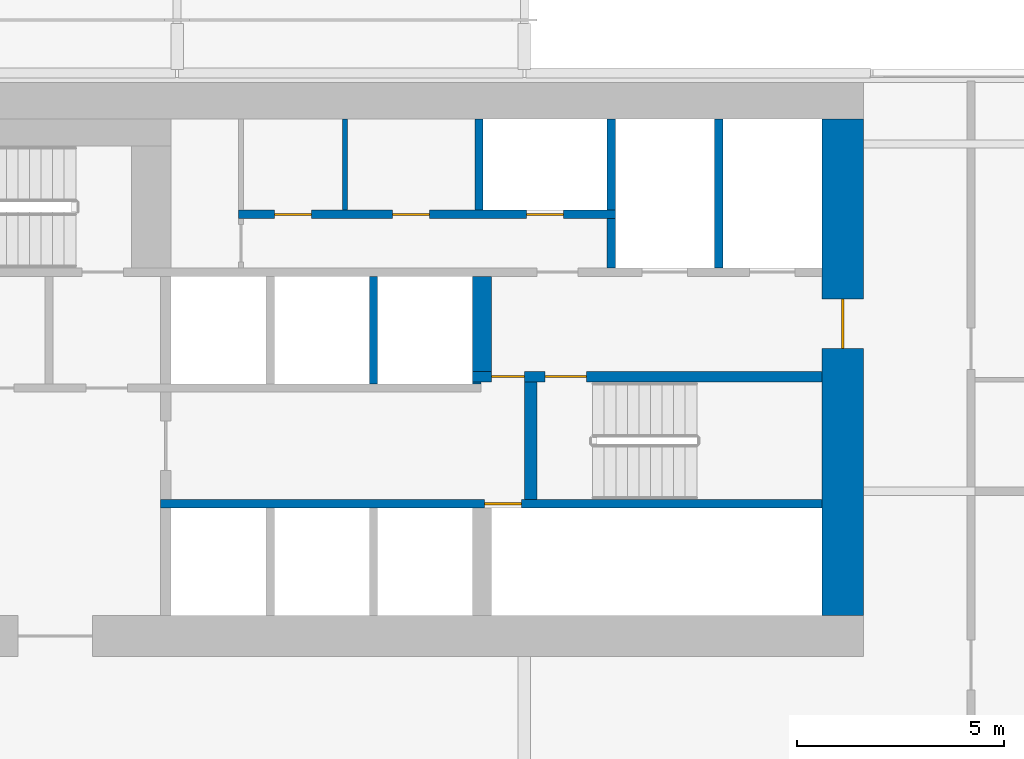
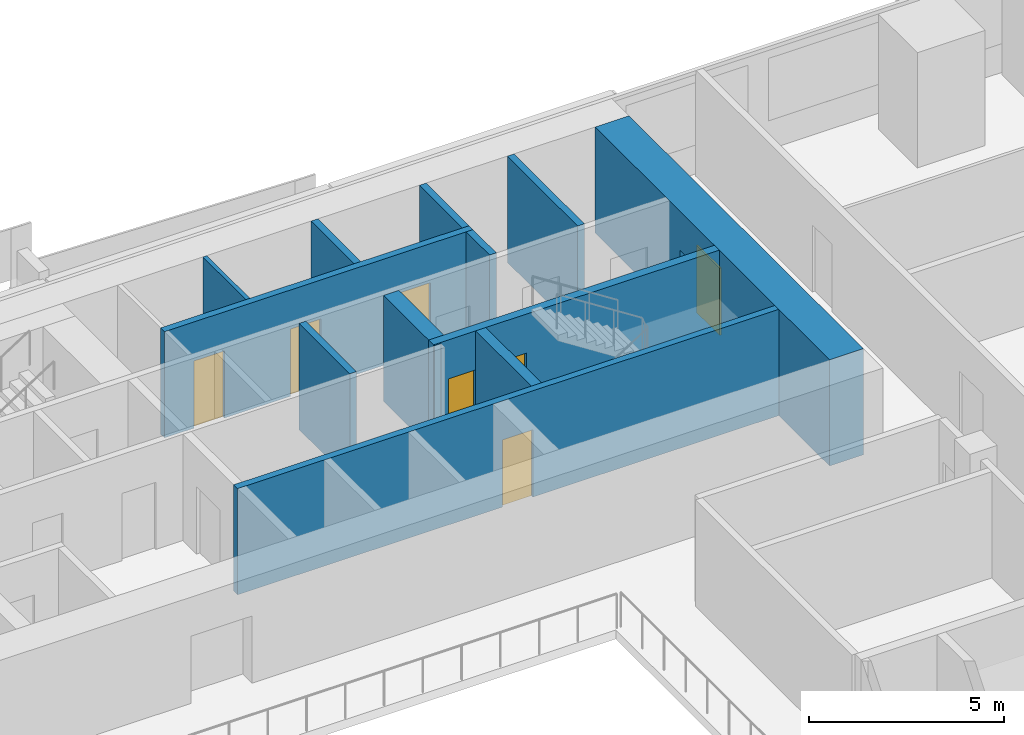
# One storey, part 22 of 26: 13 walls, 7 doors, 7 openings.
"""IFC4 building model written with IfcOpenShell, lengths in metres."""

from ifc_helpers import new_model, si_unit, direction, frame, frame_2d, origin, place, context, subcontext, project, spatial, rectangle, extrude, material, layer, layer_set, type_object, element, fill, save


model = new_model("IFC4")

# Units and contexts
model_context = context("Model", 3, precision=1e-05, world=origin(), true_north=direction((0.0, 1.0)))
body_context = subcontext(model_context, "Body", "Model", "MODEL_VIEW")
ifc_project = project(units=[si_unit("LENGTHUNIT", "METRE"), si_unit("AREAUNIT", "SQUARE_METRE"), si_unit("VOLUMEUNIT", "CUBIC_METRE"), si_unit("PLANEANGLEUNIT", "RADIAN"), si_unit("MASSUNIT", "GRAM", prefix="KILO")], contexts=[model_context])

# Site, building, storey
site_placement = place(None, origin())
site = spatial("IfcSite", under=ifc_project, at=site_placement, CompositionType="ELEMENT")
building_placement = place(site_placement, origin())
building = spatial("IfcBuilding", under=site, at=building_placement, Name="Saffron Gate Tower", CompositionType="ELEMENT")
storey_placement = place(building_placement, frame((0.0, 0.0, 98.85009765625)))
storey = spatial("IfcBuildingStorey", under=building, at=storey_placement, Name="L22", CompositionType="ELEMENT", Elevation=98.85009765625)

# Wall, opening, door
ifc_material_1 = material(Name="Concrete C70", Category="concrete")
ifc_layer_1 = layer(ifc_material_1, 1.0)
ifc_layer_set_1 = layer_set([ifc_layer_1], Name="CW12 RC core wall 1000 C70")
wall_type_1 = type_object("IfcWallType", Name="CW12 RC core wall 1000 C70", PredefinedType="SOLIDWALL", material=ifc_layer_set_1)
wall_1_placement = place(storey_placement, frame((107.89990234375, 62.39990234375, 0.0), z_axis=(0.0, 0.0, 1.0), x_axis=(0.0, 1.0, 0.0)))
wall_1 = element("IfcWall", 1, at=wall_1_placement, inside=storey, type_object=wall_type_1, Name="Wall CW12-L22-4", PredefinedType="SOLIDWALL", context=body_context, shape_type="SweptSolid", body=[
    extrude(rectangle(XDim=12.0, YDim=1.0, at=frame_2d((6.0, 0.0))), origin(), (0.0, 0.0, 1.0), 3.31982421875),
])
opening_1_placement = place(wall_1_placement, frame((6.449951171875, 0.0, 0.0)))
opening_1 = element("IfcOpeningElement", 2, at=opening_1_placement, cuts=wall_1, Name="Opening CR-08", PredefinedType="OPENING", context=body_context, shape_type="SweptSolid", body=[
    extrude(rectangle(XDim=1.199951171875, YDim=2.10009765625, at=frame_2d((0.60009765625, 1.050048828125))), frame((0.0, 0.510009765625, 0.0), z_axis=(0.0, -1.0, 0.0), x_axis=(1.0, 0.0, 0.0)), (0.0, 0.0, 1.0), 1.02001953125),
])
ifc_material_2 = material(Name="Steel fire door set", Category="steel")
door_type_1 = type_object("IfcDoorType", Name="CD7 Core entrance door 1200x2100 EI 120", OperationType="NOTDEFINED", PredefinedType="DOOR", material=ifc_material_2)
door_1_placement = place(opening_1_placement, origin())
door_1 = element("IfcDoor", 3, at=door_1_placement, inside=storey, type_object=door_type_1, Name="DOOR CR-08", OperationType="SINGLE_SWING_RIGHT", OverallHeight=2.10009765625, OverallWidth=1.199951171875, PredefinedType="DOOR", context=body_context, shape_type="SweptSolid", body=[
    extrude(rectangle(XDim=1.199951171875, YDim=2.10009765625, at=frame_2d((0.60009765625, 1.050048828125))), frame((0.0, 0.02490234375, 0.0), z_axis=(0.0, -1.0, 0.0), x_axis=(1.0, 0.0, 0.0)), (0.0, 0.0, 1.0), 0.050048828125),
])
fill(opening_1, door_1)

# Wall, openings, doors
ifc_layer_2 = layer(ifc_material_1, 0.25)
ifc_layer_set_2 = layer_set([ifc_layer_2], Name="CW2 RC core wall 250 C70")
wall_type_2 = type_object("IfcWallType", Name="CW2 RC core wall 250 C70", PredefinedType="SOLIDWALL", material=ifc_layer_set_2)
wall_2_placement = place(storey_placement, frame((98.949951171875, 68.175048828125, 0.0), z_axis=(0.0, 0.0, 1.0), x_axis=(1.0, 0.0, 0.0)))
wall_2 = element("IfcWall", 4, at=wall_2_placement, inside=storey, type_object=wall_type_2, Name="Wall CW2-L22-31", PredefinedType="SOLIDWALL", context=body_context, shape_type="SweptSolid", body=[
    extrude(rectangle(XDim=8.449951171875, YDim=0.25, at=frame_2d((4.22509765625, 0.0))), origin(), (0.0, 0.0, 1.0), 3.31982421875),
])
opening_2_placement = place(wall_2_placement, frame((0.449951171875, 0.0, 0.0)))
opening_2 = element("IfcOpeningElement", 5, at=opening_2_placement, cuts=wall_2, Name="Opening CR-05", PredefinedType="OPENING", context=body_context, shape_type="SweptSolid", body=[
    extrude(rectangle(XDim=0.800048828125, YDim=2.10009765625, at=frame_2d((0.39990234375, 1.050048828125))), frame((0.0, 0.135009765625, 0.0), z_axis=(0.0, -1.0, 0.0), x_axis=(1.0, 0.0, 0.0)), (0.0, 0.0, 1.0), 0.27001953125),
])
opening_3_placement = place(wall_2_placement, frame((1.75, 0.0, 0.0)))
opening_3 = element("IfcOpeningElement", 6, at=opening_3_placement, cuts=wall_2, Name="Opening CR-16", PredefinedType="OPENING", context=body_context, shape_type="SweptSolid", body=[
    extrude(rectangle(XDim=1.0, YDim=2.10009765625, at=frame_2d((0.5, 1.050048828125))), frame((0.0, 0.135009765625, 0.0), z_axis=(0.0, -1.0, 0.0), x_axis=(1.0, 0.0, 0.0)), (0.0, 0.0, 1.0), 0.27001953125),
])
door_type_2 = type_object("IfcDoorType", Name="CD5 Stair door 1000x2100 EI 120", OperationType="NOTDEFINED", PredefinedType="DOOR", material=ifc_material_2)
door_2_placement = place(opening_3_placement, origin())
door_2 = element("IfcDoor", 7, at=door_2_placement, inside=storey, type_object=door_type_2, Name="DOOR CR-16", OperationType="SINGLE_SWING_RIGHT", OverallHeight=2.10009765625, OverallWidth=1.0, PredefinedType="DOOR", context=body_context, shape_type="SweptSolid", body=[
    extrude(rectangle(XDim=1.0, YDim=2.10009765625, at=frame_2d((0.5, 1.050048828125))), frame((0.0, 0.02490234375, 0.0), z_axis=(0.0, -1.0, 0.0), x_axis=(1.0, 0.0, 0.0)), (0.0, 0.0, 1.0), 0.050048828125),
])
fill(opening_3, door_2)
door_type_3 = type_object("IfcDoorType", Name="CD6 Lobby door 800x2100 EI 120", OperationType="NOTDEFINED", PredefinedType="DOOR", material=ifc_material_2)
door_3_placement = place(opening_2_placement, origin())
door_3 = element("IfcDoor", 8, at=door_3_placement, inside=storey, type_object=door_type_3, Name="DOOR CR-05", OperationType="SINGLE_SWING_LEFT", OverallHeight=2.10009765625, OverallWidth=0.800048828125, PredefinedType="DOOR", context=body_context, shape_type="SweptSolid", body=[
    extrude(rectangle(XDim=0.800048828125, YDim=2.10009765625, at=frame_2d((0.39990234375, 1.050048828125))), frame((0.0, 0.02490234375, 0.0), z_axis=(0.0, -1.0, 0.0), x_axis=(1.0, 0.0, 0.0)), (0.0, 0.0, 1.0), 0.050048828125),
])
fill(opening_2, door_3)

# Wall, opening, door
ifc_layer_3 = layer(ifc_material_1, 0.199951171875)
ifc_layer_set_3 = layer_set([ifc_layer_3], Name="CW3 RC core wall 200 C70")
wall_type_3 = type_object("IfcWallType", Name="CW3 RC core wall 200 C70", PredefinedType="SOLIDWALL", material=ifc_layer_set_3)
wall_3_placement = place(storey_placement, frame((91.39990234375, 65.10009765625, 0.0), z_axis=(0.0, 0.0, 1.0), x_axis=(1.0, 0.0, 0.0)))
wall_3 = element("IfcWall", 9, at=wall_3_placement, inside=storey, type_object=wall_type_3, Name="Wall CW3-L22-15", PredefinedType="SOLIDWALL", context=body_context, shape_type="SweptSolid", body=[
    extrude(rectangle(XDim=16.0, YDim=0.199951171875, at=frame_2d((8.0, 0.0))), origin(), (0.0, 0.0, 1.0), 3.31982421875),
])
opening_4_placement = place(wall_3_placement, frame((7.830078125, 0.0, 0.0)))
opening_4 = element("IfcOpeningElement", 10, at=opening_4_placement, cuts=wall_3, Name="Opening CR-48", PredefinedType="OPENING", context=body_context, shape_type="SweptSolid", body=[
    extrude(rectangle(XDim=0.89990234375, YDim=2.10009765625, at=frame_2d((0.449951171875, 1.050048828125))), frame((0.0, 0.10986328125, 0.0), z_axis=(0.0, -1.0, 0.0), x_axis=(1.0, 0.0, 0.0)), (0.0, 0.0, 1.0), 0.219970703125),
])
door_type_4 = type_object("IfcDoorType", Name="CD2 Riser door 900x2100 EI 60", OperationType="NOTDEFINED", PredefinedType="DOOR", material=ifc_material_2)
door_4_placement = place(opening_4_placement, origin())
door_4 = element("IfcDoor", 11, at=door_4_placement, inside=storey, type_object=door_type_4, Name="DOOR CR-48", OperationType="SINGLE_SWING_RIGHT", OverallHeight=2.10009765625, OverallWidth=0.89990234375, PredefinedType="DOOR", context=body_context, shape_type="SweptSolid", body=[
    extrude(rectangle(XDim=0.89990234375, YDim=2.10009765625, at=frame_2d((0.449951171875, 1.050048828125))), frame((0.0, 0.02490234375, 0.0), z_axis=(0.0, -1.0, 0.0), x_axis=(1.0, 0.0, 0.0)), (0.0, 0.0, 1.0), 0.050048828125),
])
fill(opening_4, door_4)

# Walls
wall_4_placement = place(storey_placement, frame((96.550048828125, 68.0, 0.0), z_axis=(0.0, 0.0, 1.0), x_axis=(0.0, 1.0, 0.0)))
element("IfcWall", 12, at=wall_4_placement, inside=storey, type_object=wall_type_3, Name="Wall CW3-L22-28", PredefinedType="SOLIDWALL", context=body_context, shape_type="SweptSolid", body=[
    extrude(rectangle(XDim=2.60009765625, YDim=0.199951171875, at=frame_2d((1.300048828125, 0.0))), origin(), (0.0, 0.0, 1.0), 3.31982421875),
])
wall_5_placement = place(storey_placement, frame((102.300048828125, 70.800048828125, 0.0), z_axis=(0.0, 0.0, 1.0), x_axis=(0.0, 1.0, 0.0)))
element("IfcWall", 13, at=wall_5_placement, inside=storey, type_object=wall_type_3, Name="Wall CW3-L22-41", PredefinedType="SOLIDWALL", context=body_context, shape_type="SweptSolid", body=[
    extrude(rectangle(XDim=1.199951171875, YDim=0.199951171875, at=frame_2d((0.60009765625, 0.0))), origin(), (0.0, 0.0, 1.0), 3.31982421875),
])
wall_6_placement = place(storey_placement, frame((104.89990234375, 70.800048828125, 0.0), z_axis=(0.0, 0.0, 1.0), x_axis=(0.0, 1.0, 0.0)))
element("IfcWall", 14, at=wall_6_placement, inside=storey, type_object=wall_type_3, Name="Wall CW3-L22-42", PredefinedType="SOLIDWALL", context=body_context, shape_type="SweptSolid", body=[
    extrude(rectangle(XDim=3.599853515625, YDim=0.199951171875, at=frame_2d((1.7998046875, 0.0))), origin(), (0.0, 0.0, 1.0), 3.31982421875),
])

# Wall, openings, doors
wall_7_placement = place(storey_placement, frame((93.280029296875, 72.10009765625, 0.0), z_axis=(0.0, 0.0, 1.0), x_axis=(1.0, 0.0, 0.0)))
wall_7 = element("IfcWall", 15, at=wall_7_placement, inside=storey, type_object=wall_type_3, Name="Wall CW3-L22-44", PredefinedType="SOLIDWALL", context=body_context, shape_type="SweptSolid", body=[
    extrude(rectangle(XDim=9.119873046875, YDim=0.199951171875, at=frame_2d((4.56005859375, 0.0))), origin(), (0.0, 0.0, 1.0), 3.31982421875),
])
opening_5_placement = place(wall_7_placement, frame((0.8701171875, 0.0, 0.0)))
opening_5 = element("IfcOpeningElement", 16, at=opening_5_placement, cuts=wall_7, Name="Opening CR-50", PredefinedType="OPENING", context=body_context, shape_type="SweptSolid", body=[
    extrude(rectangle(XDim=0.89990234375, YDim=2.10009765625, at=frame_2d((0.449951171875, 1.050048828125))), frame((0.0, 0.10986328125, 0.0), z_axis=(0.0, -1.0, 0.0), x_axis=(1.0, 0.0, 0.0)), (0.0, 0.0, 1.0), 0.219970703125),
])
opening_6_placement = place(wall_7_placement, frame((3.72998046875, 0.0, 0.0)))
opening_6 = element("IfcOpeningElement", 17, at=opening_6_placement, cuts=wall_7, Name="Opening CR-53", PredefinedType="OPENING", context=body_context, shape_type="SweptSolid", body=[
    extrude(rectangle(XDim=0.89990234375, YDim=2.10009765625, at=frame_2d((0.449951171875, 1.050048828125))), frame((0.0, 0.10986328125, 0.0), z_axis=(0.0, -1.0, 0.0), x_axis=(1.0, 0.0, 0.0)), (0.0, 0.0, 1.0), 0.219970703125),
])
opening_7_placement = place(wall_7_placement, frame((6.969970703125, 0.0, 0.0)))
opening_7 = element("IfcOpeningElement", 18, at=opening_7_placement, cuts=wall_7, Name="Opening CR-70", PredefinedType="OPENING", context=body_context, shape_type="SweptSolid", body=[
    extrude(rectangle(XDim=0.89990234375, YDim=2.10009765625, at=frame_2d((0.449951171875, 1.050048828125))), frame((0.0, 0.10986328125, 0.0), z_axis=(0.0, -1.0, 0.0), x_axis=(1.0, 0.0, 0.0)), (0.0, 0.0, 1.0), 0.219970703125),
])
door_5_placement = place(opening_7_placement, origin())
door_5 = element("IfcDoor", 19, at=door_5_placement, inside=storey, type_object=door_type_4, Name="DOOR CR-70", OperationType="SINGLE_SWING_LEFT", OverallHeight=2.10009765625, OverallWidth=0.89990234375, PredefinedType="DOOR", context=body_context, shape_type="SweptSolid", body=[
    extrude(rectangle(XDim=0.89990234375, YDim=2.10009765625, at=frame_2d((0.449951171875, 1.050048828125))), frame((0.0, 0.02490234375, 0.0), z_axis=(0.0, -1.0, 0.0), x_axis=(1.0, 0.0, 0.0)), (0.0, 0.0, 1.0), 0.050048828125),
])
fill(opening_7, door_5)
door_type_5 = type_object("IfcDoorType", Name="CD9 Room door 900x2100 EI 60", OperationType="NOTDEFINED", PredefinedType="DOOR", material=ifc_material_2)
door_6_placement = place(opening_5_placement, origin())
door_6 = element("IfcDoor", 20, at=door_6_placement, inside=storey, type_object=door_type_5, Name="DOOR CR-50", OperationType="SINGLE_SWING_LEFT", OverallHeight=2.10009765625, OverallWidth=0.89990234375, PredefinedType="DOOR", context=body_context, shape_type="SweptSolid", body=[
    extrude(rectangle(XDim=0.89990234375, YDim=2.10009765625, at=frame_2d((0.449951171875, 1.050048828125))), frame((0.0, 0.02490234375, 0.0), z_axis=(0.0, -1.0, 0.0), x_axis=(1.0, 0.0, 0.0)), (0.0, 0.0, 1.0), 0.050048828125),
])
fill(opening_5, door_6)
door_7_placement = place(opening_6_placement, origin())
door_7 = element("IfcDoor", 21, at=door_7_placement, inside=storey, type_object=door_type_5, Name="DOOR CR-53", OperationType="SINGLE_SWING_LEFT", OverallHeight=2.10009765625, OverallWidth=0.89990234375, PredefinedType="DOOR", context=body_context, shape_type="SweptSolid", body=[
    extrude(rectangle(XDim=0.89990234375, YDim=2.10009765625, at=frame_2d((0.449951171875, 1.050048828125))), frame((0.0, 0.02490234375, 0.0), z_axis=(0.0, -1.0, 0.0), x_axis=(1.0, 0.0, 0.0)), (0.0, 0.0, 1.0), 0.050048828125),
])
fill(opening_6, door_7)

# Walls
for number, where, z_axis, x_axis, name in (
    (22, (99.10009765625, 72.199951171875, 0.0), (0.0, 0.0, 1.0), (0.0, 1.0, 0.0), "Wall CW3-L22-51"),
    (23, (102.300048828125, 72.199951171875, 0.0), (0.0, 0.0, 1.0), (0.0, 1.0, 0.0), "Wall CW3-L22-52"),
):
    element("IfcWall", number, at=place(storey_placement, frame(where, z_axis=z_axis, x_axis=x_axis)), inside=storey, type_object=wall_type_3, Name=name, PredefinedType="SOLIDWALL", context=body_context, shape_type="SweptSolid", body=[
        extrude(rectangle(XDim=2.199951171875, YDim=0.199951171875, at=frame_2d((1.10009765625, 0.0))), origin(), (0.0, 0.0, 1.0), 3.31982421875),
    ])
ifc_layer_4 = layer(ifc_material_1, 0.449951171875)
ifc_layer_set_4 = layer_set([ifc_layer_4], Name="CW4 RC core wall 450 C70")
wall_type_4 = type_object("IfcWallType", Name="CW4 RC core wall 450 C70", PredefinedType="SOLIDWALL", material=ifc_layer_set_4)
wall_8_placement = place(storey_placement, frame((99.175048828125, 68.300048828125, 0.0), z_axis=(0.0, 0.0, 1.0), x_axis=(0.0, 1.0, 0.0)))
element("IfcWall", 24, at=wall_8_placement, inside=storey, type_object=wall_type_4, Name="Wall CW4-L22-33", PredefinedType="SOLIDWALL", context=body_context, shape_type="SweptSolid", body=[
    extrude(rectangle(XDim=2.300048828125, YDim=0.449951171875, at=frame_2d((1.14990234375, 0.0))), origin(), (0.0, 0.0, 1.0), 3.31982421875),
])
ifc_layer_5 = layer(ifc_material_1, 0.300048828125)
ifc_layer_set_5 = layer_set([ifc_layer_5], Name="CW5 RC core wall 300 C70")
wall_type_5 = type_object("IfcWallType", Name="CW5 RC core wall 300 C70", PredefinedType="SOLIDWALL", material=ifc_layer_set_5)
wall_9_placement = place(storey_placement, frame((100.35009765625, 65.199951171875, 0.0), z_axis=(0.0, 0.0, 1.0), x_axis=(0.0, 1.0, 0.0)))
element("IfcWall", 25, at=wall_9_placement, inside=storey, type_object=wall_type_5, Name="Wall CW5-L22-19", PredefinedType="SOLIDWALL", context=body_context, shape_type="SweptSolid", body=[
    extrude(rectangle(XDim=2.85009765625, YDim=0.300048828125, at=frame_2d((1.425048828125, 0.0))), origin(), (0.0, 0.0, 1.0), 3.31982421875),
])
ifc_layer_6 = layer(ifc_material_1, 0.050048828125)
ifc_layer_set_6 = layer_set([ifc_layer_6], Name="CW6 RC core wall 50 C70")
wall_type_6 = type_object("IfcWallType", Name="CW6 RC core wall 50 C70", PredefinedType="SOLIDWALL", material=ifc_layer_set_6)
wall_10_placement = place(storey_placement, frame((98.949951171875, 68.02490234375, 0.0), z_axis=(0.0, 0.0, 1.0), x_axis=(1.0, 0.0, 0.0)))
element("IfcWall", 26, at=wall_10_placement, inside=storey, type_object=wall_type_6, Name="Wall CW6-L22-29", PredefinedType="SOLIDWALL", context=body_context, shape_type="SweptSolid", body=[
    extrude(rectangle(XDim=0.199951171875, YDim=0.050048828125, at=frame_2d((0.10009765625, 0.0))), origin(), (0.0, 0.0, 1.0), 3.31982421875),
])
ifc_material_3 = material(Name="Gypsum board partition on steel studs", Category="steel")
ifc_layer_7 = layer(ifc_material_3, 0.1201171875)
ifc_layer_set_7 = layer_set([ifc_layer_7], Name="CW8 Core partition 120")
wall_type_7 = type_object("IfcWallType", Name="CW8 Core partition 120", PredefinedType="PARTITIONING", material=ifc_layer_set_7)
wall_11_placement = place(storey_placement, frame((95.860107421875, 72.199951171875, 0.0), z_axis=(0.0, 0.0, 1.0), x_axis=(0.0, 1.0, 0.0)))
element("IfcWall", 27, at=wall_11_placement, inside=storey, type_object=wall_type_7, Name="Wall CW8-L22-50", PredefinedType="PARTITIONING", context=body_context, shape_type="SweptSolid", body=[
    extrude(rectangle(XDim=2.199951171875, YDim=0.1201171875, at=frame_2d((1.10009765625, 0.0))), origin(), (0.0, 0.0, 1.0), 3.31982421875),
])

save(model, "model.ifc")
